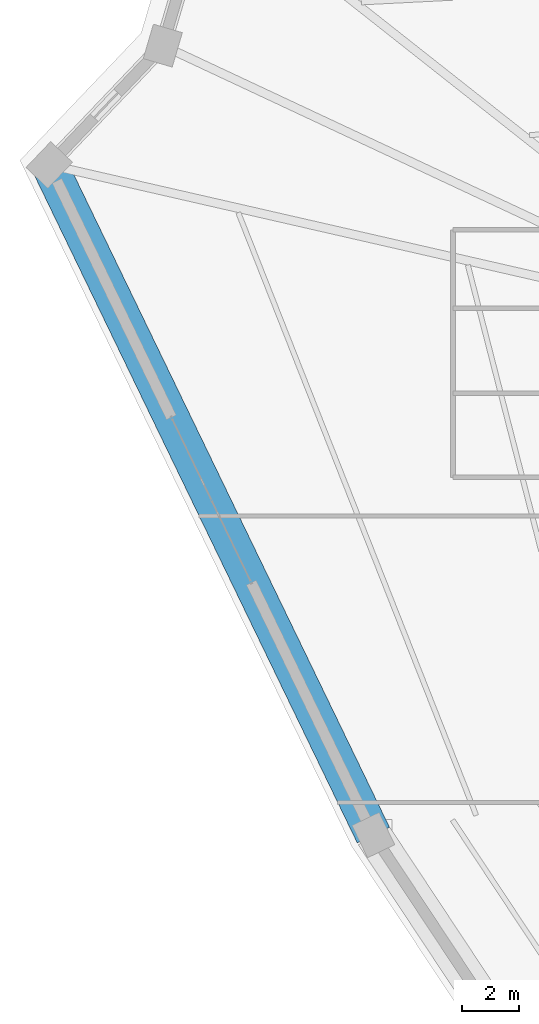
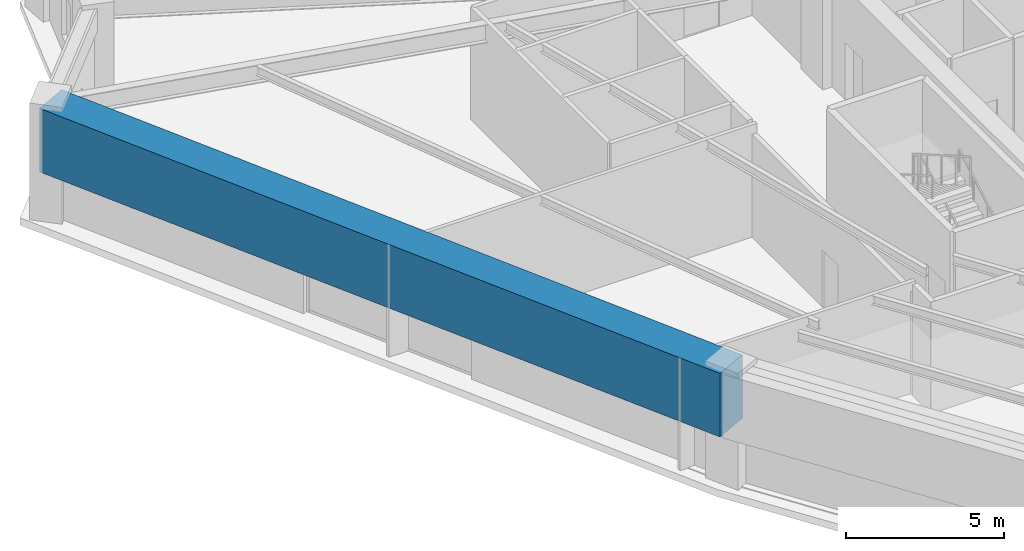
# One storey, part 13 of 39: 1 beam.
"""IFC4 building model written with IfcOpenShell, lengths in metres."""

from ifc_helpers import new_model, si_unit, direction, frame, origin, origin_2d, place, context, subcontext, project, spatial, rectangle, extrude, source, transform, mapped, material, material_profile, profile_set, type_object, element, save


model = new_model("IFC4")

# Units and contexts
model_context = context("Model", 3, precision=1e-05, world=origin(), true_north=direction((0.0, 1.0)))
body_context = subcontext(model_context, "Body", "Model", "MODEL_VIEW")
ifc_project = project(units=[si_unit("LENGTHUNIT", "METRE"), si_unit("AREAUNIT", "SQUARE_METRE"), si_unit("VOLUMEUNIT", "CUBIC_METRE"), si_unit("PLANEANGLEUNIT", "RADIAN"), si_unit("MASSUNIT", "GRAM", prefix="KILO")], contexts=[model_context])

# Site, building, storey
site_placement = place(None, origin())
site = spatial("IfcSite", under=ifc_project, at=site_placement, CompositionType="ELEMENT")
building_placement = place(site_placement, origin())
building = spatial("IfcBuilding", under=site, at=building_placement, Name="Liaohun Quay Tower", CompositionType="ELEMENT")
storey_placement = place(building_placement, frame((0.0, 0.0, 189.75)))
storey = spatial("IfcBuildingStorey", under=building, at=storey_placement, Name="L49", CompositionType="ELEMENT", Elevation=189.75)

# Beam
ifc_material = material(Name="Concrete C60", Category="concrete")
ifc_material_profile = material_profile(ifc_material, rectangle(XDim=1.25, YDim=2.449951171875, at=origin_2d()), Name="RC1250x2450")
ifc_profile_set = profile_set([ifc_material_profile], Name="Concrete C60")
beam_type = type_object("IfcBeamType", Name="BM-TRF-1", PredefinedType="BEAM", material=ifc_profile_set)
shared_shape = source(origin(), body_context, "Body", "SweptSolid", [
    extrude(rectangle(XDim=1.25, YDim=2.449951171875, at=origin_2d()), origin(), (0.0, 0.0, 1.0), 25.96728515625),
])
beam_placement = place(storey_placement, frame((37.201904296875, 43.864013671875, 3.094970703125), z_axis=(-0.43538865129, 0.900242590821, 0.0), x_axis=(-0.900242590821, -0.43538865129, 0.0)))
element("IfcBeam", 1, at=beam_placement, inside=storey, type_object=beam_type, Name="L49 Precast Spandrel Beam PC02-PC03", PredefinedType="BEAM", context=body_context, shape_type="MappedRepresentation", body=[
    mapped(shared_shape, transform((0.0, 0.0, 0.0), x_axis=(1.0, 0.0, 0.0), y_axis=(0.0, 1.0, 0.0), z_axis=(0.0, 0.0, 1.0), scale=1.0)),
])

save(model, "model.ifc")
